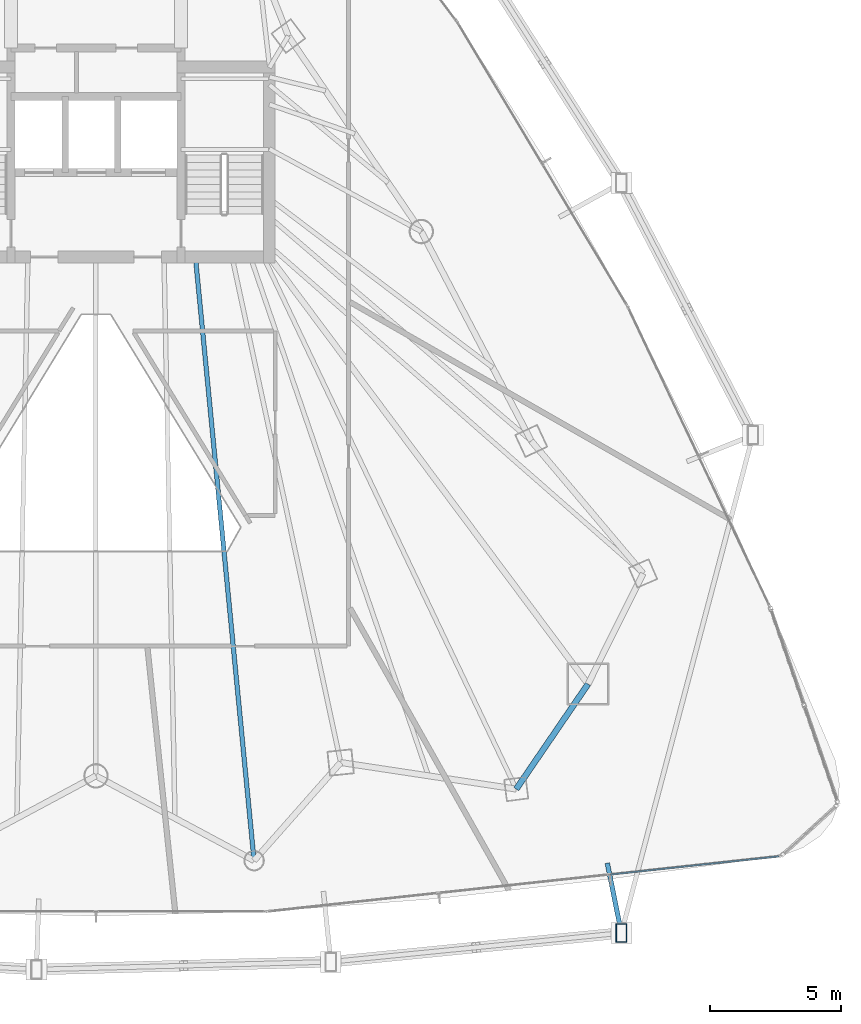
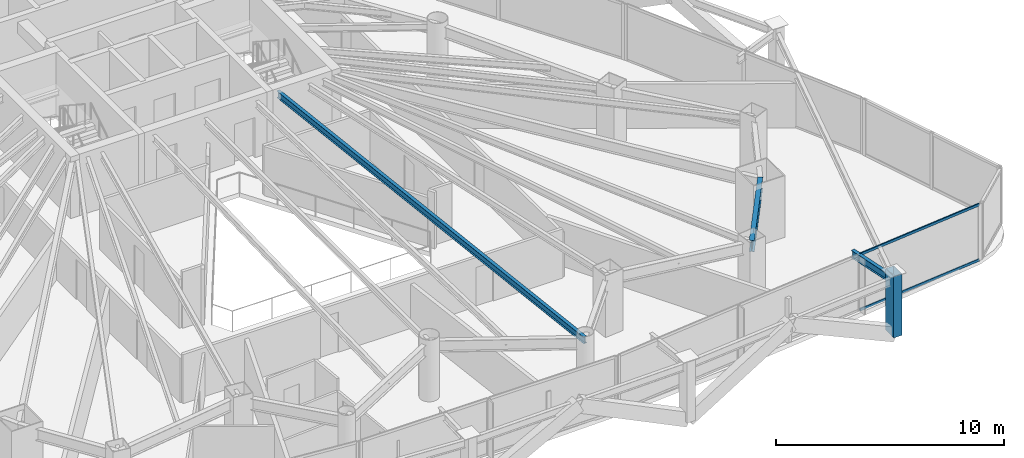
# One storey, part 15 of 38: 3 beams, 3 members, 1 element without a shape of its own.
"""IFC4 building model written with IfcOpenShell, lengths in metres."""

from ifc_helpers import new_model, si_unit, direction, frame, origin, origin_2d, place, context, subcontext, project, spatial, hollow_rectangle, i_section, extrude, material, layer, layer_set, material_profile, profile_set, type_object, element, aggregate, save


model = new_model("IFC4")

# Units and contexts
model_context = context("Model", 3, precision=1e-05, world=origin(), true_north=direction((0.0, 1.0)))
body_context = subcontext(model_context, "Body", "Model", "MODEL_VIEW")
ifc_project = project(units=[si_unit("LENGTHUNIT", "METRE"), si_unit("AREAUNIT", "SQUARE_METRE"), si_unit("VOLUMEUNIT", "CUBIC_METRE"), si_unit("PLANEANGLEUNIT", "RADIAN"), si_unit("MASSUNIT", "GRAM", prefix="KILO")], contexts=[model_context])

# Site, building, storey
site_placement = place(None, origin())
site = spatial("IfcSite", under=ifc_project, at=site_placement, CompositionType="ELEMENT")
building_placement = place(site_placement, origin())
building = spatial("IfcBuilding", under=site, at=building_placement, Name="Orvanel Arch Residences", CompositionType="ELEMENT")
storey_placement = place(building_placement, frame((0.0, 0.0, 56.60009765625)))
storey = spatial("IfcBuildingStorey", under=building, at=storey_placement, Name="L15", CompositionType="ELEMENT", Elevation=56.60009765625)

# Beam
ifc_material_1 = material(Name="Structural steel AS/NZS 3679.1 Grade 300 (300 MPa)", Category="steel")
ifc_material_profile_1 = material_profile(ifc_material_1, i_section(OverallWidth=0.1708984375, OverallDepth=0.35595703125, WebThickness=0.00732421875, FlangeThickness=0.011474609375, at=origin_2d()), Name="360UB50.7")
ifc_profile_set_1 = profile_set([ifc_material_profile_1], Name="Structural steel AS/NZS 3679.1 Grade 300 (300 MPa)")
beam_type_1 = type_object("IfcBeamType", Name="BJ-360UB", PredefinedType="JOIST", material=ifc_profile_set_1)
beam_1_placement = place(storey_placement, frame((36.800048828125, 26.675048828125, 2.841796875), z_axis=(0.096724091756, -0.995311232768, 0.0), x_axis=(0.995311232768, 0.096724091756, 0.0)))
element("IfcBeam", 1, at=beam_1_placement, inside=storey, type_object=beam_type_1, Name="L15 LSE Wing Floor Joist", PredefinedType="JOIST", context=body_context, shape_type="SweptSolid", body=[
    extrude(i_section(OverallWidth=0.1708984375, OverallDepth=0.35595703125, WebThickness=0.00732421875, FlangeThickness=0.011474609375, at=origin_2d()), origin(), (0.0, 0.0, 1.0), 23.1787109375),
])

# Member
ifc_material_2 = material(Name="Structural steel AS/NZS 3678 Grade 350", Category="steel")
ifc_material_profile_2 = material_profile(ifc_material_2, hollow_rectangle(XDim=0.419921875, YDim=0.719970703125, WallThickness=0.02490234375, at=origin_2d()), Name="RHS720x420x25")
ifc_profile_set_2 = profile_set([ifc_material_profile_2], Name="Structural steel AS/NZS 3678 Grade 350")
member_type_1 = type_object("IfcMemberType", Name="CH-720RHS-EXT", PredefinedType="CHORD", material=ifc_profile_set_2)
member_1_placement = place(storey_placement, frame((53.076904296875, 0.843017578125, 0.0), z_axis=(0.0, 0.0, 1.0), x_axis=(1.0, 0.0, 0.0)))
element("IfcMember", 2, at=member_1_placement, inside=storey, type_object=member_type_1, Name="L15 Outer Perimeter Frame Post 08", PredefinedType="CHORD", context=body_context, shape_type="SweptSolid", body=[
    extrude(hollow_rectangle(XDim=0.419921875, YDim=0.719970703125, WallThickness=0.02490234375, at=origin_2d()), origin(), (0.0, 0.0, 1.0), 3.2998046875),
])

# Beams
ifc_material_profile_3 = material_profile(ifc_material_1, i_section(OverallWidth=0.177978515625, OverallDepth=0.406005859375, WebThickness=0.0078125, FlangeThickness=0.0126953125, at=origin_2d()), Name="410UB59.7")
ifc_profile_set_3 = profile_set([ifc_material_profile_3], Name="Structural steel AS/NZS 3679.1 Grade 300 (300 MPa)")
beam_type_2 = type_object("IfcBeamType", Name="OB-410UB-EXT", PredefinedType="SPANDREL", material=ifc_profile_set_3)
beam_2_placement = place(storey_placement, frame((52.5390625, 3.511962890625, 2.81689453125), z_axis=(0.197547227933, -0.98029337075, 0.0), x_axis=(0.98029337075, 0.197547227933, 0.0)))
element("IfcBeam", 3, at=beam_2_placement, inside=storey, type_object=beam_type_2, Name="L15 Outer Frame Radial Tie Beam 08", PredefinedType="SPANDREL", context=body_context, shape_type="SweptSolid", body=[
    extrude(i_section(OverallWidth=0.177978515625, OverallDepth=0.406005859375, WebThickness=0.0078125, FlangeThickness=0.0126953125, at=origin_2d()), origin(), (0.0, 0.0, 1.0), 2.72265625),
])
ifc_material_profile_4 = material_profile(ifc_material_1, i_section(OverallWidth=0.22900390625, OverallDepth=0.612060546875, WebThickness=0.011962890625, FlangeThickness=0.01953125, at=origin_2d()), Name="610UB125")
ifc_profile_set_4 = profile_set([ifc_material_profile_4], Name="Structural steel AS/NZS 3679.1 Grade 300 (300 MPa)")
beam_type_3 = type_object("IfcBeamType", Name="SP-610UB", PredefinedType="SPANDREL", material=ifc_profile_set_4)
beam_3_placement = place(storey_placement, frame((49.05908203125, 6.339111328125, 2.7138671875), z_axis=(0.564251579852, 0.825602903722, 0.0), x_axis=(-0.825602903722, 0.564251579852, 0.0)))
element("IfcBeam", 4, at=beam_3_placement, inside=storey, type_object=beam_type_3, Name="L15 Perimeter Spandrel Beam 10", PredefinedType="SPANDREL", context=body_context, shape_type="SweptSolid", body=[
    extrude(i_section(OverallWidth=0.22900390625, OverallDepth=0.612060546875, WebThickness=0.011962890625, FlangeThickness=0.01953125, at=origin_2d()), origin(), (0.0, 0.0, 1.0), 4.859375),
])

# Curtain wall, members
ifc_material_3 = material(Name="Bronze-anodised aluminium AA6063-T6", Category="aluminium")
ifc_layer = layer(ifc_material_3, 0.179931640625)
ifc_layer_set = layer_set([ifc_layer], Name="Bronze-anodised aluminium AA6063-T6")
curtain_wall_type = type_object("IfcCurtainWallType", Name="CW2-LOW-SYS", PredefinedType="NOTDEFINED", material=ifc_layer_set)
curtain_wall_placement = place(storey_placement, origin())
curtain_wall = element("IfcCurtainWall", 5, at=curtain_wall_placement, inside=storey, type_object=curtain_wall_type, Name="L15 CW2-LOW-SYS Unitised Curtain Wall", PredefinedType="NOTDEFINED")
ifc_material_profile_5 = material_profile(ifc_material_3, hollow_rectangle(XDim=0.06005859375, YDim=0.135009765625, WallThickness=0.00390625, at=origin_2d()), Name="ALU135x60x4")
ifc_profile_set_5 = profile_set([ifc_material_profile_5], Name="Bronze-anodised aluminium AA6063-T6")
member_type_2 = type_object("IfcMemberType", Name="TRN-135x60", PredefinedType="USERDEFINED", material=ifc_profile_set_5)
member_2_placement = place(storey_placement, frame((52.663818359375, 3.076416015625, 0.02978515625), z_axis=(0.994219801336, 0.107363805037, 0.0), x_axis=(-0.107363805037, 0.994219801336, 0.0)))
member_2 = element("IfcMember", 6, at=member_2_placement, type_object=member_type_2, Name="CW-S2 transom 3.1", ObjectType="TRANSOM", PredefinedType="USERDEFINED", context=body_context, shape_type="SweptSolid", body=[
    extrude(hollow_rectangle(XDim=0.06005859375, YDim=0.135009765625, WallThickness=0.00390625, at=origin_2d()), origin(), (0.0, 0.0, 1.0), 6.46484375),
])
member_3_placement = place(storey_placement, frame((52.663818359375, 3.076416015625, 2.989990234375), z_axis=(0.994219801336, 0.107363805037, 0.0), x_axis=(-0.107363805037, 0.994219801336, 0.0)))
member_3 = element("IfcMember", 7, at=member_3_placement, type_object=member_type_2, Name="CW-S2 transom 3.2", ObjectType="TRANSOM", PredefinedType="USERDEFINED", context=body_context, shape_type="SweptSolid", body=[
    extrude(hollow_rectangle(XDim=0.06005859375, YDim=0.135009765625, WallThickness=0.00390625, at=origin_2d()), origin(), (0.0, 0.0, 1.0), 6.46484375),
])
aggregate(curtain_wall, [member_2, member_3])

save(model, "model.ifc")
